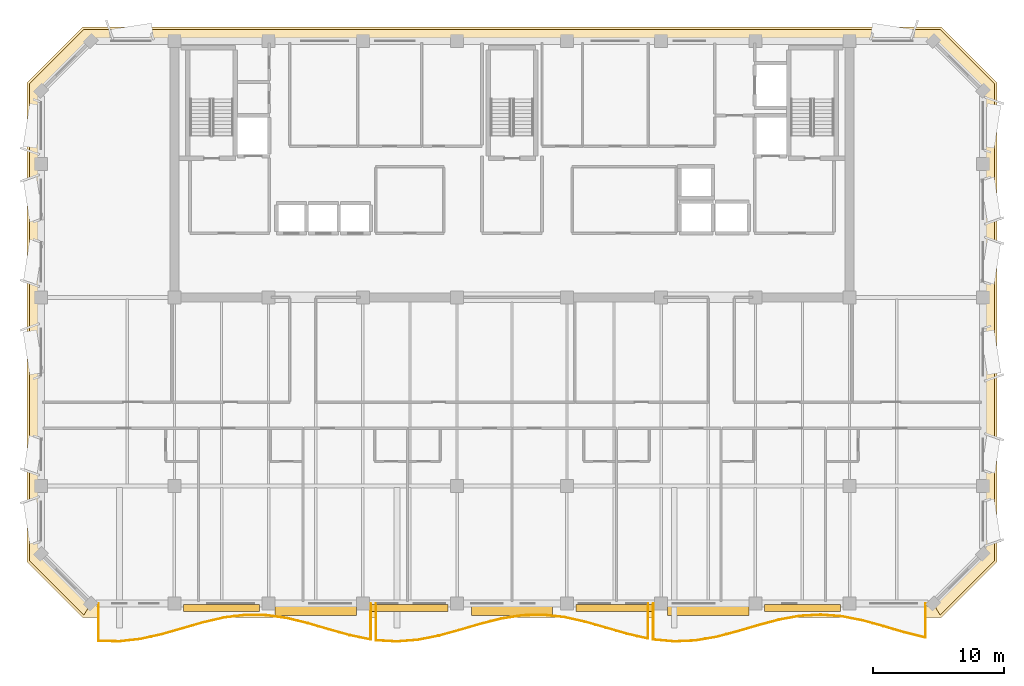
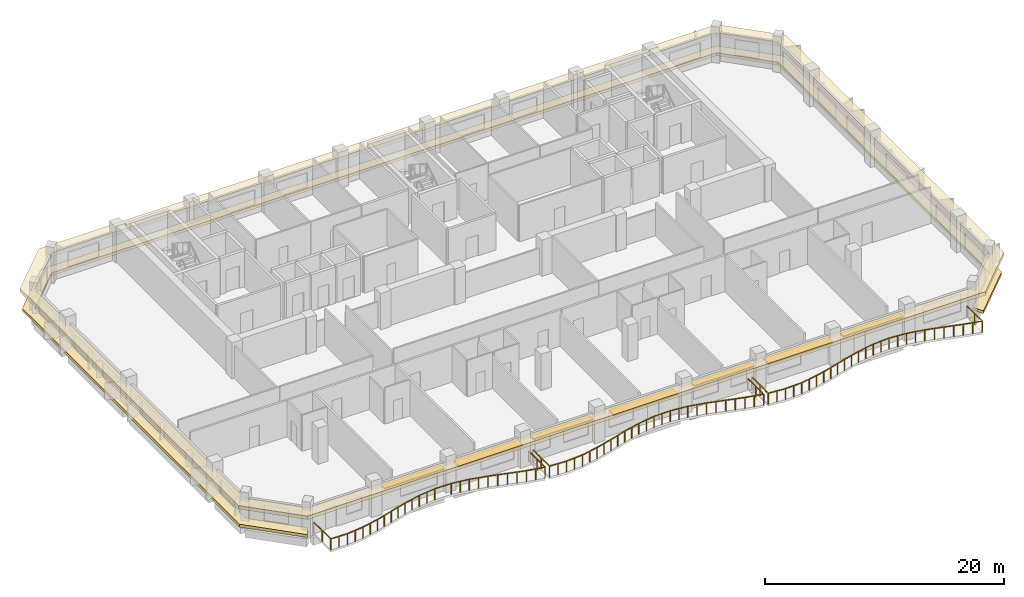
# One storey, part 9 of 11: 7 shading devices, 3 railings, 2 coverings.
"""IFC4 building model written with IfcOpenShell, lengths in metres."""

from ifc_helpers import new_model, si_unit, direction, frame, origin, origin_2d, place, context, subcontext, project, spatial, polyline, rectangle, outline, extrude, material, layer, layer_set, type_object, element, save


model = new_model("IFC4")

# Units and contexts
model_context = context("Model", 3, precision=1e-05, world=origin(), true_north=direction((0.0, 1.0)))
body_context = subcontext(model_context, "Body", "Model", "MODEL_VIEW")
ifc_project = project(units=[si_unit("LENGTHUNIT", "METRE"), si_unit("AREAUNIT", "SQUARE_METRE"), si_unit("VOLUMEUNIT", "CUBIC_METRE"), si_unit("PLANEANGLEUNIT", "RADIAN"), si_unit("MASSUNIT", "GRAM", prefix="KILO")], contexts=[model_context])

# Site, building, storey
site_placement = place(None, origin())
site = spatial("IfcSite", under=ifc_project, at=site_placement, CompositionType="ELEMENT")
building_placement = place(site_placement, origin())
building = spatial("IfcBuilding", under=site, at=building_placement, Name="Kaelvorn Grand Hotel", CompositionType="ELEMENT")
storey_placement = place(building_placement, frame((0.0, 0.0, 252.85009765625)))
storey = spatial("IfcBuildingStorey", under=building, at=storey_placement, Name="L62", CompositionType="ELEMENT", Elevation=252.85009765625)

# Coverings
ifc_material_1 = material(Name="Precast concrete C45/55", Category="concrete")
ifc_layer_1 = layer(ifc_material_1, 0.260009765625)
ifc_layer_set_1 = layer_set([ifc_layer_1], Name="Precast concrete C45/55")
covering_type_1 = type_object("IfcCoveringType", Name="COV-BAND-STREAMLINE-HEAD", PredefinedType="CLADDING", material=ifc_layer_set_1)
covering_1_placement = place(storey_placement, frame((0.0, 0.0, 2.419921875)))
element("IfcCovering", 1, at=covering_1_placement, inside=storey, type_object=covering_type_1, Name="L62 Streamline Moderne Wraparound Horizontal Eyebrow Band", PredefinedType="CLADDING", context=body_context, shape_type="SweptSolid", body=[
    extrude(outline(polyline([(9.18994140625, 4.949951171875), (74.81005859375, 4.949951171875), (79.050048828125, 9.18994140625), (79.050048828125, 45.81005859375), (74.81005859375, 50.050048828125), (9.18994140625, 50.050048828125), (4.949951171875, 45.81005859375), (4.949951171875, 9.18994140625), (9.18994140625, 4.949951171875)]), holes=[polyline([(9.820068359375, 6.030029296875), (74.179931640625, 6.030029296875), (77.969970703125, 9.820068359375), (77.969970703125, 45.179931640625), (74.179931640625, 48.969970703125), (9.820068359375, 48.969970703125), (6.030029296875, 45.179931640625), (6.030029296875, 9.820068359375), (9.820068359375, 6.030029296875)])]), origin(), (0.0, 0.0, 1.0), 0.35986328125),
])
ifc_layer_2 = layer(ifc_material_1, 0.219970703125)
ifc_layer_set_2 = layer_set([ifc_layer_2], Name="Precast concrete C45/55")
covering_type_2 = type_object("IfcCoveringType", Name="COV-BAND-STREAMLINE-SILL", PredefinedType="CLADDING", material=ifc_layer_set_2)
covering_2_placement = place(storey_placement, frame((0.0, 0.0, 0.449951171875)))
element("IfcCovering", 2, at=covering_2_placement, inside=storey, type_object=covering_type_2, Name="L62 Streamline Moderne Wraparound Horizontal Sill Spandrel Band", PredefinedType="CLADDING", context=body_context, shape_type="SweptSolid", body=[
    extrude(outline(polyline([(74.715576171875, 5.1201171875), (78.8798828125, 9.284423828125), (78.8798828125, 45.715576171875), (74.715576171875, 49.8798828125), (9.284423828125, 49.8798828125), (5.1201171875, 45.715576171875), (5.1201171875, 9.284423828125), (9.284423828125, 5.1201171875), (9.817626953125, 6.030029296875), (6.030029296875, 9.817626953125), (6.030029296875, 45.182373046875), (9.817626953125, 48.969970703125), (74.182373046875, 48.969970703125), (77.969970703125, 45.182373046875), (77.969970703125, 9.817626953125), (74.182373046875, 6.030029296875), (74.715576171875, 5.1201171875)])), origin(), (0.0, 0.0, 1.0), 0.300048828125),
])

# Railings
ifc_material_2 = material(Name="Stainless Steel", Category="steel")
railing_type = type_object("IfcRailingType", Name="RL-BALC-1150", PredefinedType="BALUSTRADE", material=ifc_material_2)
railing_1_placement = place(storey_placement, frame((10.39990234375, 6.0, 0.0)))
element("IfcRailing", 3, at=railing_1_placement, inside=storey, type_object=railing_type, Name="L62 Scalloped Wave Balcony Balustrade GR1-1", PredefinedType="BALUSTRADE", context=body_context, shape_type="SweptSolid", body=[
    extrude(rectangle(XDim=0.048095703125, YDim=0.048095703125, at=origin_2d()), frame((0.0, 0.0, 1.1259765625), z_axis=(0.0, -1.0, 0.0), x_axis=(1.0, 0.0, 0.0)), (0.0, 0.0, 1.0), 2.849853515625),
    extrude(rectangle(XDim=0.048095703125, YDim=0.048095703125, at=origin_2d()), frame((0.0, -2.849853515625, 1.1259765625), z_axis=(0.999713206321, -0.023947966645, 0.0), x_axis=(0.023947966645, 0.999713206321, 0.0)), (0.0, 0.0, 1.0), 1.6005859375),
    extrude(rectangle(XDim=0.048095703125, YDim=0.048095703125, at=origin_2d()), frame((1.60009765625, -2.88818359375, 1.1259765625), z_axis=(0.993937251022, 0.109948810954, 0.0), x_axis=(-0.109948810954, 0.993937251022, 0.0)), (0.0, 0.0, 1.0), 1.60986328125),
    extrude(rectangle(XDim=0.048095703125, YDim=0.048095703125, at=origin_2d()), frame((3.2001953125, -2.711181640625, 1.1259765625), z_axis=(0.976257116807, 0.216614962282, 0.0), x_axis=(-0.216614962282, 0.976257116807, 0.0)), (0.0, 0.0, 1.0), 1.638671875),
    extrude(rectangle(XDim=0.048095703125, YDim=0.048095703125, at=origin_2d()), frame((4.800048828125, -2.356201171875, 1.1259765625), z_axis=(0.961507337723, 0.274779255959, 0.0), x_axis=(-0.274779255959, 0.961507337723, 0.0)), (0.0, 0.0, 1.0), 1.6640625),
    extrude(rectangle(XDim=0.048095703125, YDim=0.048095703125, at=origin_2d()), frame((6.400146484375, -1.89892578125, 1.1259765625), z_axis=(0.960678560295, 0.27766293197, 0.0), x_axis=(-0.27766293197, 0.960678560295, 0.0)), (0.0, 0.0, 1.0), 1.665283203125),
    extrude(rectangle(XDim=0.048095703125, YDim=0.048095703125, at=origin_2d()), frame((8.0, -1.4365234375, 1.1259765625), z_axis=(0.974406227917, 0.224794357127, 0.0), x_axis=(-0.224794357127, 0.974406227917, 0.0)), (0.0, 0.0, 1.0), 1.64208984375),
    extrude(rectangle(XDim=0.048095703125, YDim=0.048095703125, at=origin_2d()), frame((9.60009765625, -1.0673828125, 1.1259765625), z_axis=(0.992467733724, 0.122506316232, 0.0), x_axis=(-0.122506316232, 0.992467733724, 0.0)), (0.0, 0.0, 1.0), 1.6123046875),
    extrude(rectangle(XDim=0.048095703125, YDim=0.048095703125, at=origin_2d()), frame((11.2001953125, -0.869873046875, 1.1259765625), z_axis=(0.999946164045, -0.010376367947, 0.0), x_axis=(0.010376367947, 0.999946164045, 0.0)), (0.0, 0.0, 1.0), 1.599853515625),
    extrude(rectangle(XDim=0.048095703125, YDim=0.048095703125, at=origin_2d()), frame((12.800048828125, -0.886474609375, 1.1259765625), z_axis=(0.990102995912, -0.14034264315, 0.0), x_axis=(0.14034264315, 0.990102995912, 0.0)), (0.0, 0.0, 1.0), 1.6162109375),
    extrude(rectangle(XDim=0.048095703125, YDim=0.048095703125, at=origin_2d()), frame((14.400146484375, -1.11328125, 1.1259765625), z_axis=(0.971700727271, -0.236215360681, 0.0), x_axis=(0.236215360681, 0.971700727271, 0.0)), (0.0, 0.0, 1.0), 1.646484375),
    extrude(rectangle(XDim=0.048095703125, YDim=0.048095703125, at=origin_2d()), frame((16.0, -1.502197265625, 1.1259765625), z_axis=(0.959786500851, -0.28073096157, 0.0), x_axis=(0.28073096157, 0.959786500851, 0.0)), (0.0, 0.0, 1.0), 1.667236328125),
    extrude(rectangle(XDim=0.048095703125, YDim=0.048095703125, at=origin_2d()), frame((17.60009765625, -1.97021484375, 1.1259765625), z_axis=(0.962968597463, -0.269613575884, 0.0), x_axis=(0.269613575884, 0.962968597463, 0.0)), (0.0, 0.0, 1.0), 1.66162109375),
    extrude(rectangle(XDim=0.048095703125, YDim=0.048095703125, at=origin_2d()), frame((19.2001953125, -2.418212890625, 1.1259765625), z_axis=(0.979105781264, -0.203351589852, 0.0), x_axis=(0.203351589852, 0.979105781264, 0.0)), (0.0, 0.0, 1.0), 1.634033203125),
    extrude(rectangle(XDim=0.048095703125, YDim=0.048095703125, at=origin_2d()), frame((20.800048828125, -2.75048828125, 1.1259765625), z_axis=(0.0, 1.0, 0.0), x_axis=(-1.0, 0.0, 0.0)), (0.0, 0.0, 1.0), 2.75048828125),
    extrude(rectangle(XDim=0.0419921875, YDim=0.0419921875, at=origin_2d()), origin(), (0.0, 0.0, 1.0), 1.101806640625),
    extrude(rectangle(XDim=0.0419921875, YDim=0.0419921875, at=origin_2d()), frame((0.0, -1.4248046875, 0.0)), (0.0, 0.0, 1.0), 1.101806640625),
    extrude(rectangle(XDim=0.0419921875, YDim=0.0419921875, at=origin_2d()), frame((0.0, -2.849853515625, 0.0)), (0.0, 0.0, 1.0), 1.101806640625),
    extrude(rectangle(XDim=0.0419921875, YDim=0.0419921875, at=origin_2d()), frame((0.800048828125, -2.869140625, 0.0)), (0.0, 0.0, 1.0), 1.101806640625),
    extrude(rectangle(XDim=0.0419921875, YDim=0.0419921875, at=origin_2d()), frame((1.60009765625, -2.88818359375, 0.0)), (0.0, 0.0, 1.0), 1.101806640625),
    extrude(rectangle(XDim=0.0419921875, YDim=0.0419921875, at=origin_2d()), frame((2.400146484375, -2.7998046875, 0.0)), (0.0, 0.0, 1.0), 1.101806640625),
    extrude(rectangle(XDim=0.0419921875, YDim=0.0419921875, at=origin_2d()), frame((3.2001953125, -2.711181640625, 0.0)), (0.0, 0.0, 1.0), 1.101806640625),
    extrude(rectangle(XDim=0.0419921875, YDim=0.0419921875, at=origin_2d()), frame((4.0, -2.53369140625, 0.0)), (0.0, 0.0, 1.0), 1.101806640625),
    extrude(rectangle(XDim=0.0419921875, YDim=0.0419921875, at=origin_2d()), frame((4.800048828125, -2.356201171875, 0.0)), (0.0, 0.0, 1.0), 1.101806640625),
    extrude(rectangle(XDim=0.0419921875, YDim=0.0419921875, at=origin_2d()), frame((5.60009765625, -2.12744140625, 0.0)), (0.0, 0.0, 1.0), 1.101806640625),
    extrude(rectangle(XDim=0.0419921875, YDim=0.0419921875, at=origin_2d()), frame((6.400146484375, -1.89892578125, 0.0)), (0.0, 0.0, 1.0), 1.101806640625),
    extrude(rectangle(XDim=0.0419921875, YDim=0.0419921875, at=origin_2d()), frame((7.2001953125, -1.667724609375, 0.0)), (0.0, 0.0, 1.0), 1.101806640625),
    extrude(rectangle(XDim=0.0419921875, YDim=0.0419921875, at=origin_2d()), frame((8.0, -1.4365234375, 0.0)), (0.0, 0.0, 1.0), 1.101806640625),
    extrude(rectangle(XDim=0.0419921875, YDim=0.0419921875, at=origin_2d()), frame((8.800048828125, -1.251953125, 0.0)), (0.0, 0.0, 1.0), 1.101806640625),
    extrude(rectangle(XDim=0.0419921875, YDim=0.0419921875, at=origin_2d()), frame((9.60009765625, -1.0673828125, 0.0)), (0.0, 0.0, 1.0), 1.101806640625),
    extrude(rectangle(XDim=0.0419921875, YDim=0.0419921875, at=origin_2d()), frame((10.400146484375, -0.96875, 0.0)), (0.0, 0.0, 1.0), 1.101806640625),
    extrude(rectangle(XDim=0.0419921875, YDim=0.0419921875, at=origin_2d()), frame((11.2001953125, -0.869873046875, 0.0)), (0.0, 0.0, 1.0), 1.101806640625),
    extrude(rectangle(XDim=0.0419921875, YDim=0.0419921875, at=origin_2d()), frame((12.800048828125, -0.886474609375, 0.0)), (0.0, 0.0, 1.0), 1.101806640625),
    extrude(rectangle(XDim=0.0419921875, YDim=0.0419921875, at=origin_2d()), frame((13.60009765625, -1.0, 0.0)), (0.0, 0.0, 1.0), 1.101806640625),
    extrude(rectangle(XDim=0.0419921875, YDim=0.0419921875, at=origin_2d()), frame((14.400146484375, -1.11328125, 0.0)), (0.0, 0.0, 1.0), 1.101806640625),
    extrude(rectangle(XDim=0.0419921875, YDim=0.0419921875, at=origin_2d()), frame((15.2001953125, -1.3076171875, 0.0)), (0.0, 0.0, 1.0), 1.101806640625),
    extrude(rectangle(XDim=0.0419921875, YDim=0.0419921875, at=origin_2d()), frame((16.0, -1.502197265625, 0.0)), (0.0, 0.0, 1.0), 1.101806640625),
    extrude(rectangle(XDim=0.0419921875, YDim=0.0419921875, at=origin_2d()), frame((16.800048828125, -1.736328125, 0.0)), (0.0, 0.0, 1.0), 1.101806640625),
    extrude(rectangle(XDim=0.0419921875, YDim=0.0419921875, at=origin_2d()), frame((17.60009765625, -1.97021484375, 0.0)), (0.0, 0.0, 1.0), 1.101806640625),
    extrude(rectangle(XDim=0.0419921875, YDim=0.0419921875, at=origin_2d()), frame((18.400146484375, -2.1943359375, 0.0)), (0.0, 0.0, 1.0), 1.101806640625),
    extrude(rectangle(XDim=0.0419921875, YDim=0.0419921875, at=origin_2d()), frame((19.2001953125, -2.418212890625, 0.0)), (0.0, 0.0, 1.0), 1.101806640625),
    extrude(rectangle(XDim=0.0419921875, YDim=0.0419921875, at=origin_2d()), frame((20.0, -2.58447265625, 0.0)), (0.0, 0.0, 1.0), 1.101806640625),
    extrude(rectangle(XDim=0.0419921875, YDim=0.0419921875, at=origin_2d()), frame((20.800048828125, -2.75048828125, 0.0)), (0.0, 0.0, 1.0), 1.101806640625),
    extrude(rectangle(XDim=0.0419921875, YDim=0.0419921875, at=origin_2d()), frame((20.800048828125, -1.375244140625, 0.0)), (0.0, 0.0, 1.0), 1.101806640625),
    extrude(rectangle(XDim=0.0419921875, YDim=0.0419921875, at=origin_2d()), frame((20.800048828125, 0.0, 0.0)), (0.0, 0.0, 1.0), 1.101806640625),
])
railing_2_placement = place(storey_placement, frame((31.60009765625, 6.0, 0.0)))
element("IfcRailing", 4, at=railing_2_placement, inside=storey, type_object=railing_type, Name="L62 Scalloped Wave Balcony Balustrade GR1-2", PredefinedType="BALUSTRADE", context=body_context, shape_type="SweptSolid", body=[
    extrude(rectangle(XDim=0.048095703125, YDim=0.048095703125, at=origin_2d()), frame((0.0, 0.0, 1.1259765625), z_axis=(0.0, -1.0, 0.0), x_axis=(1.0, 0.0, 0.0)), (0.0, 0.0, 1.0), 2.806396484375),
    extrude(rectangle(XDim=0.048095703125, YDim=0.048095703125, at=origin_2d()), frame((0.0, -2.806396484375, 1.1259765625), z_axis=(0.998314067233, -0.058043286985, 0.0), x_axis=(0.058043286985, 0.998314067233, 0.0)), (0.0, 0.0, 1.0), 1.6025390625),
    extrude(rectangle(XDim=0.048095703125, YDim=0.048095703125, at=origin_2d()), frame((1.599853515625, -2.8994140625, 1.1259765625), z_axis=(0.99696251046, 0.077882942532, 0.0), x_axis=(-0.077882942532, 0.99696251046, 0.0)), (0.0, 0.0, 1.0), 1.60498046875),
    extrude(rectangle(XDim=0.048095703125, YDim=0.048095703125, at=origin_2d()), frame((3.199951171875, -2.7744140625, 1.1259765625), z_axis=(0.980998741428, 0.194014095665, 0.0), x_axis=(-0.194014095665, 0.980998741428, 0.0)), (0.0, 0.0, 1.0), 1.630859375),
    extrude(rectangle(XDim=0.048095703125, YDim=0.048095703125, at=origin_2d()), frame((4.7998046875, -2.4580078125, 1.1259765625), z_axis=(0.964143309379, 0.265382137644, 0.0), x_axis=(-0.265382137644, 0.964143309379, 0.0)), (0.0, 0.0, 1.0), 1.65966796875),
    extrude(rectangle(XDim=0.048095703125, YDim=0.048095703125, at=origin_2d()), frame((6.39990234375, -2.017578125, 1.1259765625), z_axis=(0.959351515378, 0.282213872696, 0.0), x_axis=(-0.282213872696, 0.959351515378, 0.0)), (0.0, 0.0, 1.0), 1.66796875),
    extrude(rectangle(XDim=0.048095703125, YDim=0.048095703125, at=origin_2d()), frame((8.0, -1.546875, 1.1259765625), z_axis=(0.970011748649, 0.243058033158, 0.0), x_axis=(-0.243058033158, 0.970011748649, 0.0)), (0.0, 0.0, 1.0), 1.6494140625),
    extrude(rectangle(XDim=0.048095703125, YDim=0.048095703125, at=origin_2d()), frame((9.599853515625, -1.14599609375, 1.1259765625), z_axis=(0.988401317612, 0.151864529575, 0.0), x_axis=(-0.151864529575, 0.988401317612, 0.0)), (0.0, 0.0, 1.0), 1.618896484375),
    extrude(rectangle(XDim=0.048095703125, YDim=0.048095703125, at=origin_2d()), frame((11.199951171875, -0.900146484375, 1.1259765625), z_axis=(0.999713118822, 0.023951619053, 0.0), x_axis=(-0.023951619053, 0.999713118822, 0.0)), (0.0, 0.0, 1.0), 1.600341796875),
    extrude(rectangle(XDim=0.048095703125, YDim=0.048095703125, at=origin_2d()), frame((12.7998046875, -0.86181640625, 1.1259765625), z_axis=(0.993937251022, -0.109948810954, 0.0), x_axis=(0.109948810954, 0.993937251022, 0.0)), (0.0, 0.0, 1.0), 1.60986328125),
    extrude(rectangle(XDim=0.048095703125, YDim=0.048095703125, at=origin_2d()), frame((14.39990234375, -1.038818359375, 1.1259765625), z_axis=(0.976264105664, -0.216583461952, 0.0), x_axis=(0.216583461952, 0.976264105664, 0.0)), (0.0, 0.0, 1.0), 1.638916015625),
    extrude(rectangle(XDim=0.048095703125, YDim=0.048095703125, at=origin_2d()), frame((16.0, -1.393798828125, 1.1259765625), z_axis=(0.961496258585, -0.274818021109, 0.0), x_axis=(0.274818021109, 0.961496258585, 0.0)), (0.0, 0.0, 1.0), 1.663818359375),
    extrude(rectangle(XDim=0.048095703125, YDim=0.048095703125, at=origin_2d()), frame((17.599853515625, -1.85107421875, 1.1259765625), z_axis=(0.960689860387, -0.277623832098, 0.0), x_axis=(0.277623832098, 0.960689860387, 0.0)), (0.0, 0.0, 1.0), 1.66552734375),
    extrude(rectangle(XDim=0.048095703125, YDim=0.048095703125, at=origin_2d()), frame((19.199951171875, -2.3134765625, 1.1259765625), z_axis=(0.974398713439, -0.224826927319, 0.0), x_axis=(0.224826927319, 0.974398713439, 0.0)), (0.0, 0.0, 1.0), 1.641845703125),
    extrude(rectangle(XDim=0.048095703125, YDim=0.048095703125, at=origin_2d()), frame((20.7998046875, -2.6826171875, 1.1259765625), z_axis=(0.0, 1.0, 0.0), x_axis=(-1.0, 0.0, 0.0)), (0.0, 0.0, 1.0), 2.6826171875),
    extrude(rectangle(XDim=0.0419921875, YDim=0.0419921875, at=origin_2d()), origin(), (0.0, 0.0, 1.0), 1.101806640625),
    extrude(rectangle(XDim=0.0419921875, YDim=0.0419921875, at=origin_2d()), frame((0.0, -1.4033203125, 0.0)), (0.0, 0.0, 1.0), 1.101806640625),
    extrude(rectangle(XDim=0.0419921875, YDim=0.0419921875, at=origin_2d()), frame((0.0, -2.806396484375, 0.0)), (0.0, 0.0, 1.0), 1.101806640625),
    extrude(rectangle(XDim=0.0419921875, YDim=0.0419921875, at=origin_2d()), frame((0.7998046875, -2.85302734375, 0.0)), (0.0, 0.0, 1.0), 1.101806640625),
    extrude(rectangle(XDim=0.0419921875, YDim=0.0419921875, at=origin_2d()), frame((1.599853515625, -2.8994140625, 0.0)), (0.0, 0.0, 1.0), 1.101806640625),
    extrude(rectangle(XDim=0.0419921875, YDim=0.0419921875, at=origin_2d()), frame((2.39990234375, -2.8369140625, 0.0)), (0.0, 0.0, 1.0), 1.101806640625),
    extrude(rectangle(XDim=0.0419921875, YDim=0.0419921875, at=origin_2d()), frame((3.199951171875, -2.7744140625, 0.0)), (0.0, 0.0, 1.0), 1.101806640625),
    extrude(rectangle(XDim=0.0419921875, YDim=0.0419921875, at=origin_2d()), frame((4.0, -2.6162109375, 0.0)), (0.0, 0.0, 1.0), 1.101806640625),
    extrude(rectangle(XDim=0.0419921875, YDim=0.0419921875, at=origin_2d()), frame((4.7998046875, -2.4580078125, 0.0)), (0.0, 0.0, 1.0), 1.101806640625),
    extrude(rectangle(XDim=0.0419921875, YDim=0.0419921875, at=origin_2d()), frame((5.599853515625, -2.23779296875, 0.0)), (0.0, 0.0, 1.0), 1.101806640625),
    extrude(rectangle(XDim=0.0419921875, YDim=0.0419921875, at=origin_2d()), frame((6.39990234375, -2.017578125, 0.0)), (0.0, 0.0, 1.0), 1.101806640625),
    extrude(rectangle(XDim=0.0419921875, YDim=0.0419921875, at=origin_2d()), frame((7.199951171875, -1.7822265625, 0.0)), (0.0, 0.0, 1.0), 1.101806640625),
    extrude(rectangle(XDim=0.0419921875, YDim=0.0419921875, at=origin_2d()), frame((8.0, -1.546875, 0.0)), (0.0, 0.0, 1.0), 1.101806640625),
    extrude(rectangle(XDim=0.0419921875, YDim=0.0419921875, at=origin_2d()), frame((8.7998046875, -1.346435546875, 0.0)), (0.0, 0.0, 1.0), 1.101806640625),
    extrude(rectangle(XDim=0.0419921875, YDim=0.0419921875, at=origin_2d()), frame((9.599853515625, -1.14599609375, 0.0)), (0.0, 0.0, 1.0), 1.101806640625),
    extrude(rectangle(XDim=0.0419921875, YDim=0.0419921875, at=origin_2d()), frame((10.39990234375, -1.02294921875, 0.0)), (0.0, 0.0, 1.0), 1.101806640625),
    extrude(rectangle(XDim=0.0419921875, YDim=0.0419921875, at=origin_2d()), frame((11.199951171875, -0.900146484375, 0.0)), (0.0, 0.0, 1.0), 1.101806640625),
    extrude(rectangle(XDim=0.0419921875, YDim=0.0419921875, at=origin_2d()), frame((12.0, -0.880859375, 0.0)), (0.0, 0.0, 1.0), 1.101806640625),
    extrude(rectangle(XDim=0.0419921875, YDim=0.0419921875, at=origin_2d()), frame((12.7998046875, -0.86181640625, 0.0)), (0.0, 0.0, 1.0), 1.101806640625),
    extrude(rectangle(XDim=0.0419921875, YDim=0.0419921875, at=origin_2d()), frame((13.599853515625, -0.9501953125, 0.0)), (0.0, 0.0, 1.0), 1.101806640625),
    extrude(rectangle(XDim=0.0419921875, YDim=0.0419921875, at=origin_2d()), frame((14.39990234375, -1.038818359375, 0.0)), (0.0, 0.0, 1.0), 1.101806640625),
    extrude(rectangle(XDim=0.0419921875, YDim=0.0419921875, at=origin_2d()), frame((15.199951171875, -1.21630859375, 0.0)), (0.0, 0.0, 1.0), 1.101806640625),
    extrude(rectangle(XDim=0.0419921875, YDim=0.0419921875, at=origin_2d()), frame((16.0, -1.393798828125, 0.0)), (0.0, 0.0, 1.0), 1.101806640625),
    extrude(rectangle(XDim=0.0419921875, YDim=0.0419921875, at=origin_2d()), frame((16.7998046875, -1.62255859375, 0.0)), (0.0, 0.0, 1.0), 1.101806640625),
    extrude(rectangle(XDim=0.0419921875, YDim=0.0419921875, at=origin_2d()), frame((17.599853515625, -1.85107421875, 0.0)), (0.0, 0.0, 1.0), 1.101806640625),
    extrude(rectangle(XDim=0.0419921875, YDim=0.0419921875, at=origin_2d()), frame((18.39990234375, -2.082275390625, 0.0)), (0.0, 0.0, 1.0), 1.101806640625),
    extrude(rectangle(XDim=0.0419921875, YDim=0.0419921875, at=origin_2d()), frame((19.199951171875, -2.3134765625, 0.0)), (0.0, 0.0, 1.0), 1.101806640625),
    extrude(rectangle(XDim=0.0419921875, YDim=0.0419921875, at=origin_2d()), frame((20.0, -2.498046875, 0.0)), (0.0, 0.0, 1.0), 1.101806640625),
    extrude(rectangle(XDim=0.0419921875, YDim=0.0419921875, at=origin_2d()), frame((20.7998046875, -2.6826171875, 0.0)), (0.0, 0.0, 1.0), 1.101806640625),
    extrude(rectangle(XDim=0.0419921875, YDim=0.0419921875, at=origin_2d()), frame((20.7998046875, -1.34130859375, 0.0)), (0.0, 0.0, 1.0), 1.101806640625),
    extrude(rectangle(XDim=0.0419921875, YDim=0.0419921875, at=origin_2d()), frame((20.7998046875, 0.0, 0.0)), (0.0, 0.0, 1.0), 1.101806640625),
])
railing_3_placement = place(storey_placement, frame((52.800048828125, 6.0, 0.0)))
element("IfcRailing", 5, at=railing_3_placement, inside=storey, type_object=railing_type, Name="L62 Scalloped Wave Balcony Balustrade GR1-3", PredefinedType="BALUSTRADE", context=body_context, shape_type="SweptSolid", body=[
    extrude(rectangle(XDim=0.048095703125, YDim=0.048095703125, at=origin_2d()), frame((0.0, 0.0, 1.1259765625), z_axis=(0.0, -1.0, 0.0), x_axis=(1.0, 0.0, 0.0)), (0.0, 0.0, 1.0), 2.75048828125),
    extrude(rectangle(XDim=0.048095703125, YDim=0.048095703125, at=origin_2d()), frame((0.0, -2.75048828125, 1.1259765625), z_axis=(0.995862006079, -0.090878296908, 0.0), x_axis=(0.090878296908, 0.995862006079, 0.0)), (0.0, 0.0, 1.0), 1.6064453125),
    extrude(rectangle(XDim=0.048095703125, YDim=0.048095703125, at=origin_2d()), frame((1.599853515625, -2.896484375, 1.1259765625), z_axis=(0.999015758747, 0.044356665517, 0.0), x_axis=(-0.044356665517, 0.999015758747, 0.0)), (0.0, 0.0, 1.0), 1.6015625),
    extrude(rectangle(XDim=0.048095703125, YDim=0.048095703125, at=origin_2d()), frame((3.199951171875, -2.825439453125, 1.1259765625), z_axis=(0.985710855115, 0.168446163828, 0.0), x_axis=(-0.168446163828, 0.985710855115, 0.0)), (0.0, 0.0, 1.0), 1.623291015625),
    extrude(rectangle(XDim=0.048095703125, YDim=0.048095703125, at=origin_2d()), frame((4.800048828125, -2.552001953125, 1.1259765625), z_axis=(0.9675984532, 0.252494026396, 0.0), x_axis=(-0.252494026396, 0.9675984532, 0.0)), (0.0, 0.0, 1.0), 1.6533203125),
    extrude(rectangle(XDim=0.048095703125, YDim=0.048095703125, at=origin_2d()), frame((6.39990234375, -2.134521484375, 1.1259765625), z_axis=(0.959033972874, 0.28329108506, 0.0), x_axis=(-0.28329108506, 0.959033972874, 0.0)), (0.0, 0.0, 1.0), 1.66845703125),
    extrude(rectangle(XDim=0.048095703125, YDim=0.048095703125, at=origin_2d()), frame((8.0, -1.661865234375, 1.1259765625), z_axis=(0.966141888597, 0.258011339088, 0.0), x_axis=(-0.258011339088, 0.966141888597, 0.0)), (0.0, 0.0, 1.0), 1.656005859375),
    extrude(rectangle(XDim=0.048095703125, YDim=0.048095703125, at=origin_2d()), frame((9.599853515625, -1.234619140625, 1.1259765625), z_axis=(0.983860301257, 0.178938278776, 0.0), x_axis=(-0.178938278776, 0.983860301257, 0.0)), (0.0, 0.0, 1.0), 1.62646484375),
    extrude(rectangle(XDim=0.048095703125, YDim=0.048095703125, at=origin_2d()), frame((11.199951171875, -0.943603515625, 1.1259765625), z_axis=(0.998314580369, 0.058034460653, 0.0), x_axis=(-0.058034460653, 0.998314580369, 0.0)), (0.0, 0.0, 1.0), 1.602783203125),
    extrude(rectangle(XDim=0.048095703125, YDim=0.048095703125, at=origin_2d()), frame((12.800048828125, -0.8505859375, 1.1259765625), z_axis=(0.996961587557, -0.077894755506, 0.0), x_axis=(0.077894755506, 0.996961587557, 0.0)), (0.0, 0.0, 1.0), 1.604736328125),
    extrude(rectangle(XDim=0.048095703125, YDim=0.048095703125, at=origin_2d()), frame((14.39990234375, -0.9755859375, 1.1259765625), z_axis=(0.981004375199, -0.193985607302, 0.0), x_axis=(0.193985607302, 0.981004375199, 0.0)), (0.0, 0.0, 1.0), 1.631103515625),
    extrude(rectangle(XDim=0.048095703125, YDim=0.048095703125, at=origin_2d()), frame((16.0, -1.2919921875, 1.1259765625), z_axis=(0.964132946726, -0.265419782679, 0.0), x_axis=(0.265419782679, 0.964132946726, 0.0)), (0.0, 0.0, 1.0), 1.659423828125),
    extrude(rectangle(XDim=0.048095703125, YDim=0.048095703125, at=origin_2d()), frame((17.599853515625, -1.732421875, 1.1259765625), z_axis=(0.959351515378, -0.282213872696, 0.0), x_axis=(0.282213872696, 0.959351515378, 0.0)), (0.0, 0.0, 1.0), 1.66796875),
    extrude(rectangle(XDim=0.048095703125, YDim=0.048095703125, at=origin_2d()), frame((19.199951171875, -2.203125, 1.1259765625), z_axis=(0.970020491705, -0.243023138142, 0.0), x_axis=(0.243023138142, 0.970020491705, 0.0)), (0.0, 0.0, 1.0), 1.649658203125),
    extrude(rectangle(XDim=0.048095703125, YDim=0.048095703125, at=origin_2d()), frame((20.800048828125, -2.60400390625, 1.1259765625), z_axis=(0.0, 1.0, 0.0), x_axis=(-1.0, 0.0, 0.0)), (0.0, 0.0, 1.0), 2.60400390625),
    extrude(rectangle(XDim=0.0419921875, YDim=0.0419921875, at=origin_2d()), origin(), (0.0, 0.0, 1.0), 1.101806640625),
    extrude(rectangle(XDim=0.0419921875, YDim=0.0419921875, at=origin_2d()), frame((0.0, -1.375244140625, 0.0)), (0.0, 0.0, 1.0), 1.101806640625),
    extrude(rectangle(XDim=0.0419921875, YDim=0.0419921875, at=origin_2d()), frame((0.0, -2.75048828125, 0.0)), (0.0, 0.0, 1.0), 1.101806640625),
    extrude(rectangle(XDim=0.0419921875, YDim=0.0419921875, at=origin_2d()), frame((0.7998046875, -2.823486328125, 0.0)), (0.0, 0.0, 1.0), 1.101806640625),
    extrude(rectangle(XDim=0.0419921875, YDim=0.0419921875, at=origin_2d()), frame((1.599853515625, -2.896484375, 0.0)), (0.0, 0.0, 1.0), 1.101806640625),
    extrude(rectangle(XDim=0.0419921875, YDim=0.0419921875, at=origin_2d()), frame((2.39990234375, -2.86083984375, 0.0)), (0.0, 0.0, 1.0), 1.101806640625),
    extrude(rectangle(XDim=0.0419921875, YDim=0.0419921875, at=origin_2d()), frame((3.199951171875, -2.825439453125, 0.0)), (0.0, 0.0, 1.0), 1.101806640625),
    extrude(rectangle(XDim=0.0419921875, YDim=0.0419921875, at=origin_2d()), frame((4.0, -2.688720703125, 0.0)), (0.0, 0.0, 1.0), 1.101806640625),
    extrude(rectangle(XDim=0.0419921875, YDim=0.0419921875, at=origin_2d()), frame((4.800048828125, -2.552001953125, 0.0)), (0.0, 0.0, 1.0), 1.101806640625),
    extrude(rectangle(XDim=0.0419921875, YDim=0.0419921875, at=origin_2d()), frame((5.60009765625, -2.34326171875, 0.0)), (0.0, 0.0, 1.0), 1.101806640625),
    extrude(rectangle(XDim=0.0419921875, YDim=0.0419921875, at=origin_2d()), frame((6.39990234375, -2.134521484375, 0.0)), (0.0, 0.0, 1.0), 1.101806640625),
    extrude(rectangle(XDim=0.0419921875, YDim=0.0419921875, at=origin_2d()), frame((7.199951171875, -1.898193359375, 0.0)), (0.0, 0.0, 1.0), 1.101806640625),
    extrude(rectangle(XDim=0.0419921875, YDim=0.0419921875, at=origin_2d()), frame((8.0, -1.661865234375, 0.0)), (0.0, 0.0, 1.0), 1.101806640625),
    extrude(rectangle(XDim=0.0419921875, YDim=0.0419921875, at=origin_2d()), frame((8.7998046875, -1.4482421875, 0.0)), (0.0, 0.0, 1.0), 1.101806640625),
    extrude(rectangle(XDim=0.0419921875, YDim=0.0419921875, at=origin_2d()), frame((9.599853515625, -1.234619140625, 0.0)), (0.0, 0.0, 1.0), 1.101806640625),
    extrude(rectangle(XDim=0.0419921875, YDim=0.0419921875, at=origin_2d()), frame((10.39990234375, -1.089111328125, 0.0)), (0.0, 0.0, 1.0), 1.101806640625),
    extrude(rectangle(XDim=0.0419921875, YDim=0.0419921875, at=origin_2d()), frame((11.199951171875, -0.943603515625, 0.0)), (0.0, 0.0, 1.0), 1.101806640625),
    extrude(rectangle(XDim=0.0419921875, YDim=0.0419921875, at=origin_2d()), frame((12.0, -0.89697265625, 0.0)), (0.0, 0.0, 1.0), 1.101806640625),
    extrude(rectangle(XDim=0.0419921875, YDim=0.0419921875, at=origin_2d()), frame((12.800048828125, -0.8505859375, 0.0)), (0.0, 0.0, 1.0), 1.101806640625),
    extrude(rectangle(XDim=0.0419921875, YDim=0.0419921875, at=origin_2d()), frame((13.60009765625, -0.9130859375, 0.0)), (0.0, 0.0, 1.0), 1.101806640625),
    extrude(rectangle(XDim=0.0419921875, YDim=0.0419921875, at=origin_2d()), frame((14.39990234375, -0.9755859375, 0.0)), (0.0, 0.0, 1.0), 1.101806640625),
    extrude(rectangle(XDim=0.0419921875, YDim=0.0419921875, at=origin_2d()), frame((15.199951171875, -1.1337890625, 0.0)), (0.0, 0.0, 1.0), 1.101806640625),
    extrude(rectangle(XDim=0.0419921875, YDim=0.0419921875, at=origin_2d()), frame((16.0, -1.2919921875, 0.0)), (0.0, 0.0, 1.0), 1.101806640625),
    extrude(rectangle(XDim=0.0419921875, YDim=0.0419921875, at=origin_2d()), frame((16.7998046875, -1.51220703125, 0.0)), (0.0, 0.0, 1.0), 1.101806640625),
    extrude(rectangle(XDim=0.0419921875, YDim=0.0419921875, at=origin_2d()), frame((17.599853515625, -1.732421875, 0.0)), (0.0, 0.0, 1.0), 1.101806640625),
    extrude(rectangle(XDim=0.0419921875, YDim=0.0419921875, at=origin_2d()), frame((18.39990234375, -1.9677734375, 0.0)), (0.0, 0.0, 1.0), 1.101806640625),
    extrude(rectangle(XDim=0.0419921875, YDim=0.0419921875, at=origin_2d()), frame((19.199951171875, -2.203125, 0.0)), (0.0, 0.0, 1.0), 1.101806640625),
    extrude(rectangle(XDim=0.0419921875, YDim=0.0419921875, at=origin_2d()), frame((20.0, -2.403564453125, 0.0)), (0.0, 0.0, 1.0), 1.101806640625),
    extrude(rectangle(XDim=0.0419921875, YDim=0.0419921875, at=origin_2d()), frame((20.800048828125, -2.60400390625, 0.0)), (0.0, 0.0, 1.0), 1.101806640625),
    extrude(rectangle(XDim=0.0419921875, YDim=0.0419921875, at=origin_2d()), frame((20.800048828125, -1.302001953125, 0.0)), (0.0, 0.0, 1.0), 1.101806640625),
    extrude(rectangle(XDim=0.0419921875, YDim=0.0419921875, at=origin_2d()), frame((20.800048828125, 0.0, 0.0)), (0.0, 0.0, 1.0), 1.101806640625),
])

# Shading devices
ifc_layer_3 = layer(ifc_material_1, 0.1201171875)
ifc_layer_set_3 = layer_set([ifc_layer_3], Name="Precast concrete C45/55")
shading_device_type_1 = type_object("IfcShadingDeviceType", Name="SHD-SUNSHADE-550", PredefinedType="USERDEFINED", material=ifc_layer_set_3)
for number, where, z_axis, x_axis, name in (
    (6, (19.800048828125, 5.655029296875, 2.559814453125), (0.0, 0.0, 1.0), (1.0, 0.0, 0.0), "L62 Horizontal Concrete Sunshade Band SS-03"),
    (7, (34.199951171875, 5.655029296875, 2.559814453125), (0.0, 0.0, 1.0), (1.0, 0.0, 0.0), "L62 Horizontal Concrete Sunshade Band SS-05"),
    (8, (49.800048828125, 5.655029296875, 2.559814453125), (0.0, 0.0, 1.0), (1.0, 0.0, 0.0), "L62 Horizontal Concrete Sunshade Band SS-07"),
    (9, (64.199951171875, 5.655029296875, 2.559814453125), (0.0, 0.0, 1.0), (1.0, 0.0, 0.0), "L62 Horizontal Concrete Sunshade Band SS-09"),
):
    element("IfcShadingDevice", number, at=place(storey_placement, frame(where, z_axis=z_axis, x_axis=x_axis)), inside=storey, type_object=shading_device_type_1, Name=name, ObjectType="SUNSHADE", PredefinedType="USERDEFINED", context=body_context, shape_type="SweptSolid", body=[
        extrude(rectangle(XDim=5.800048828125, YDim=0.550048828125, at=origin_2d()), origin(), (0.0, 0.0, 1.0), 0.1201171875),
    ])
ifc_layer_4 = layer(ifc_material_1, 0.139892578125)
ifc_layer_set_4 = layer_set([ifc_layer_4], Name="Precast concrete C45/55")
shading_device_type_2 = type_object("IfcShadingDeviceType", Name="SHD-SUNSHADE-850", PredefinedType="USERDEFINED", material=ifc_layer_set_4)
for number, where, z_axis, x_axis, name in (
    (10, (27.0, 5.5048828125, 2.5498046875), (0.0, 0.0, 1.0), (1.0, 0.0, 0.0), "L62 Horizontal Concrete Sunshade Band SS-04"),
    (11, (42.0, 5.5048828125, 2.5498046875), (0.0, 0.0, 1.0), (1.0, 0.0, 0.0), "L62 Horizontal Concrete Sunshade Band SS-06"),
    (12, (57.0, 5.5048828125, 2.5498046875), (0.0, 0.0, 1.0), (1.0, 0.0, 0.0), "L62 Horizontal Concrete Sunshade Band SS-08"),
):
    element("IfcShadingDevice", number, at=place(storey_placement, frame(where, z_axis=z_axis, x_axis=x_axis)), inside=storey, type_object=shading_device_type_2, Name=name, ObjectType="SUNSHADE", PredefinedType="USERDEFINED", context=body_context, shape_type="SweptSolid", body=[
        extrude(rectangle(XDim=6.199951171875, YDim=0.85009765625, at=origin_2d()), origin(), (0.0, 0.0, 1.0), 0.139892578125),
    ])

save(model, "model.ifc")
